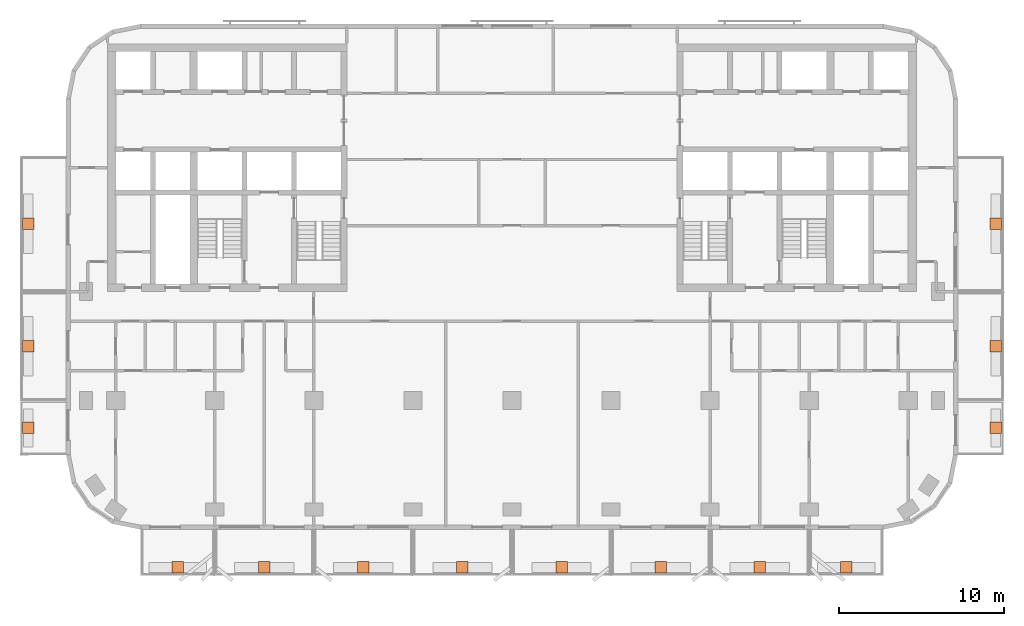
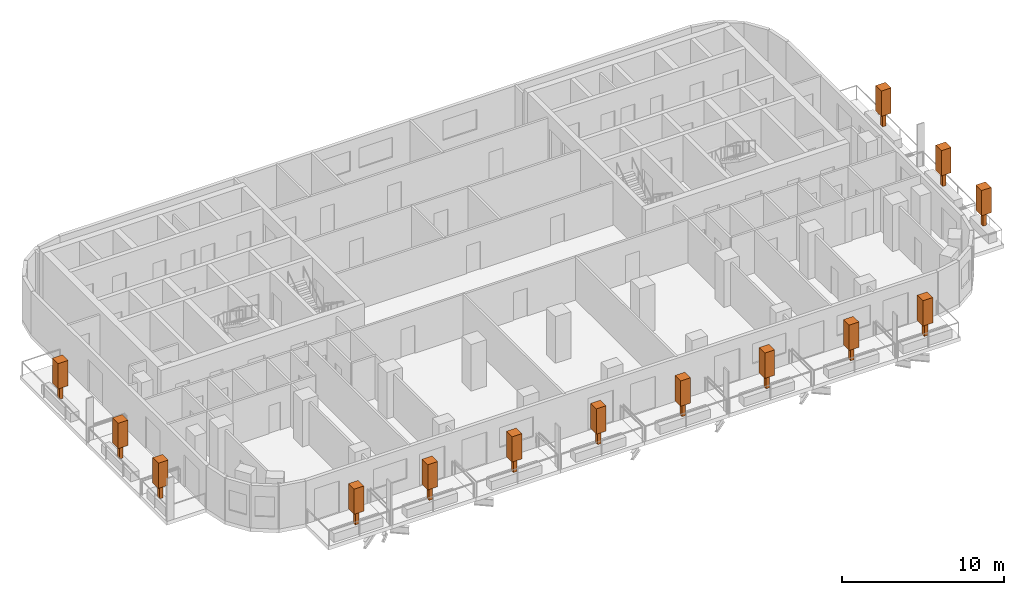
# One storey, part 11 of 11: 14 geographic elements.
"""IFC4 building model written with IfcOpenShell, lengths in metres."""

from ifc_helpers import new_model, si_unit, direction, frame, origin, origin_2d, place, context, subcontext, project, spatial, rectangle, extrude, material, element, save


model = new_model("IFC4")

# Units and contexts
model_context = context("Model", 3, precision=1e-05, world=origin(), true_north=direction((0.0, 1.0)))
body_context = subcontext(model_context, "Body", "Model", "MODEL_VIEW")
ifc_project = project(units=[si_unit("LENGTHUNIT", "METRE"), si_unit("AREAUNIT", "SQUARE_METRE"), si_unit("VOLUMEUNIT", "CUBIC_METRE"), si_unit("PLANEANGLEUNIT", "RADIAN"), si_unit("MASSUNIT", "GRAM", prefix="KILO")], contexts=[model_context])

# Site, building, storey
site_placement = place(None, origin())
site = spatial("IfcSite", under=ifc_project, at=site_placement, CompositionType="ELEMENT")
building_placement = place(site_placement, origin())
building = spatial("IfcBuilding", under=site, at=building_placement, Name="Torana Hotel and Residences", CompositionType="ELEMENT")
storey_placement = place(building_placement, frame((0.0, 0.0, 183.60009765625)))
storey = spatial("IfcBuildingStorey", under=building, at=storey_placement, Name="L47", CompositionType="ELEMENT", Elevation=183.60009765625)

# Geographic elements
ifc_material = material(Name="Foliage", Category="planting")
for number, where, z_axis, x_axis, name in (
    (1, (-20.25, -31.699951171875, 0.64990234375), (0.0, 0.0, 1.0), (1.0, 0.0, 0.0), "Tree 01"),
    (2, (-15.0, -31.699951171875, 0.64990234375), (0.0, 0.0, 1.0), (1.0, 0.0, 0.0), "Tree 02"),
    (3, (-9.0, -31.699951171875, 0.64990234375), (0.0, 0.0, 1.0), (1.0, 0.0, 0.0), "Tree 03"),
    (4, (-3.0, -31.699951171875, 0.64990234375), (0.0, 0.0, 1.0), (1.0, 0.0, 0.0), "Tree 04"),
    (5, (3.0, -31.699951171875, 0.64990234375), (0.0, 0.0, 1.0), (1.0, 0.0, 0.0), "Tree 05"),
    (6, (9.0, -31.699951171875, 0.64990234375), (0.0, 0.0, 1.0), (1.0, 0.0, 0.0), "Tree 06"),
    (7, (15.0, -31.699951171875, 0.64990234375), (0.0, 0.0, 1.0), (1.0, 0.0, 0.0), "Tree 07"),
    (8, (20.25, -31.699951171875, 0.64990234375), (0.0, 0.0, 1.0), (1.0, 0.0, 0.0), "Tree 08"),
    (9, (-29.300048828125, -23.25, 0.64990234375), (0.0, 0.0, 1.0), (1.0, 0.0, 0.0), "Tree 09"),
    (10, (-29.300048828125, -18.300048828125, 0.64990234375), (0.0, 0.0, 1.0), (1.0, 0.0, 0.0), "Tree 10"),
    (11, (-29.300048828125, -10.89990234375, 0.64990234375), (0.0, 0.0, 1.0), (1.0, 0.0, 0.0), "Tree 11"),
    (12, (29.300048828125, -23.25, 0.64990234375), (0.0, 0.0, 1.0), (1.0, 0.0, 0.0), "Tree 12"),
    (13, (29.300048828125, -18.300048828125, 0.64990234375), (0.0, 0.0, 1.0), (1.0, 0.0, 0.0), "Tree 13"),
    (14, (29.300048828125, -10.89990234375, 0.64990234375), (0.0, 0.0, 1.0), (1.0, 0.0, 0.0), "Tree 14"),
):
    element("IfcGeographicElement", number, at=place(storey_placement, frame(where, z_axis=z_axis, x_axis=x_axis)), inside=storey, material=ifc_material, Name=name, ObjectType="TREE", PredefinedType="USERDEFINED", context=body_context, shape_type="SweptSolid", body=[
        extrude(rectangle(XDim=0.25, YDim=0.25, at=origin_2d()), origin(), (0.0, 0.0, 1.0), 1.0),
        extrude(rectangle(XDim=0.699951171875, YDim=0.699951171875, at=origin_2d()), frame((0.0, 0.0, 1.0)), (0.0, 0.0, 1.0), 1.89990234375),
    ])

save(model, "model.ifc")
